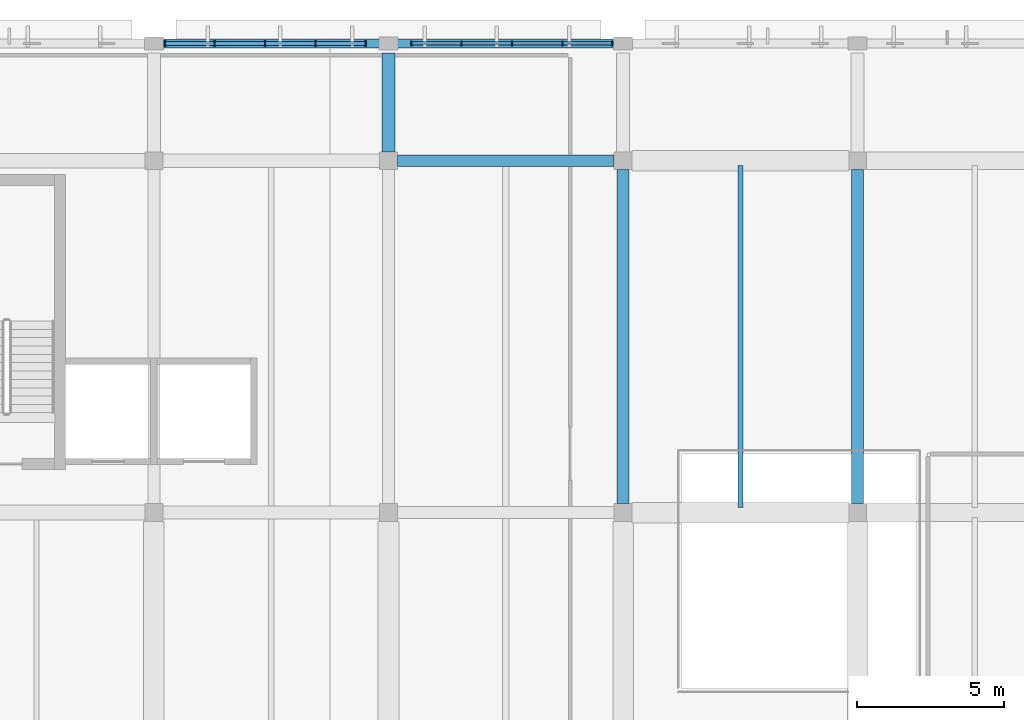
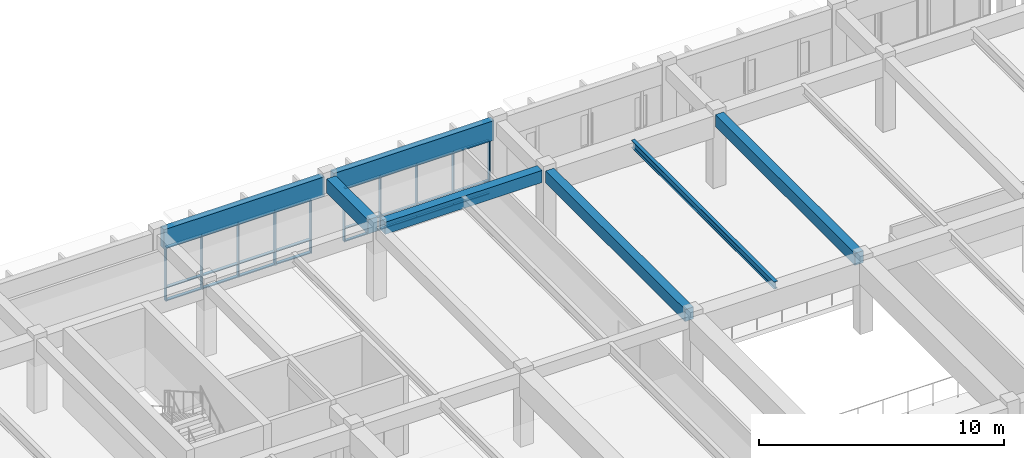
# One storey, part 18 of 98: 34 members, 7 beams, 2 elements without a shape of their own.
"""IFC4 building model written with IfcOpenShell, lengths in metres."""

from ifc_helpers import new_model, si_unit, direction, frame, origin, origin_2d, place, context, subcontext, project, spatial, rectangle, i_section, extrude, material, material_profile, profile_set, type_object, element, aggregate, save


model = new_model("IFC4")

# Units and contexts
model_context = context("Model", 3, precision=1e-05, world=origin(), true_north=direction((0.0, 1.0)))
body_context = subcontext(model_context, "Body", "Model", "MODEL_VIEW")
ifc_project = project(units=[si_unit("LENGTHUNIT", "METRE"), si_unit("AREAUNIT", "SQUARE_METRE"), si_unit("VOLUMEUNIT", "CUBIC_METRE"), si_unit("PLANEANGLEUNIT", "RADIAN"), si_unit("MASSUNIT", "GRAM", prefix="KILO")], contexts=[model_context])

# Site, building, storey
site_placement = place(None, origin())
site = spatial("IfcSite", under=ifc_project, at=site_placement, CompositionType="ELEMENT")
building_placement = place(site_placement, origin())
building = spatial("IfcBuilding", under=site, at=building_placement, Name="Larkveld Mobility Hub", CompositionType="ELEMENT")
storey_placement = place(building_placement, frame((0.0, 0.0, 4.5)))
storey = spatial("IfcBuildingStorey", under=building, at=storey_placement, Name="L01", CompositionType="ELEMENT", Elevation=4.5)

# Beams
ifc_material_1 = material(Name="Concrete C40/50", Category="concrete")
ifc_material_profile_1 = material_profile(ifc_material_1, rectangle(XDim=0.39990234375, YDim=0.60009765625, at=origin_2d()), Name="RC BM 400x600")
ifc_profile_set_1 = profile_set([ifc_material_profile_1], Name="Concrete C40/50")
beam_type_1 = type_object("IfcBeamType", Name="BM-RC4060", PredefinedType="BEAM", material=ifc_profile_set_1)
beam_1_placement = place(storey_placement, frame((40.300048828125, 122.0, 3.360107421875), z_axis=(1.0, 0.0, 0.0), x_axis=(0.0, 1.0, 0.0)))
element("IfcBeam", 1, at=beam_1_placement, inside=storey, type_object=beam_type_1, Name="Primary E-W Girder L01-0333", PredefinedType="BEAM", context=body_context, shape_type="SweptSolid", body=[
    extrude(rectangle(XDim=0.39990234375, YDim=0.60009765625, at=origin_2d()), origin(), (0.0, 0.0, 1.0), 7.39990234375),
])
for number, where, z_axis, x_axis, name in (
    (2, (48.0, 110.300048828125, 3.360107421875), (0.0, 1.0, 0.0), (-1.0, 0.0, 0.0), "Primary N-S Girder L01-0369"),
    (3, (56.0, 110.300048828125, 3.360107421875), (0.0, 1.0, 0.0), (-1.0, 0.0, 0.0), "Primary N-S Girder L01-0372"),
):
    element("IfcBeam", number, at=place(storey_placement, frame(where, z_axis=z_axis, x_axis=x_axis)), inside=storey, type_object=beam_type_1, Name=name, PredefinedType="BEAM", context=body_context, shape_type="SweptSolid", body=[
        extrude(rectangle(XDim=0.39990234375, YDim=0.60009765625, at=origin_2d()), origin(), (0.0, 0.0, 1.0), 11.39990234375),
    ])
ifc_material_profile_2 = material_profile(ifc_material_1, rectangle(XDim=0.449951171875, YDim=0.699951171875, at=origin_2d()), Name="RC BM 450x700")
ifc_profile_set_2 = profile_set([ifc_material_profile_2], Name="Concrete C40/50")
beam_type_2 = type_object("IfcBeamType", Name="BM-RC4570", PredefinedType="BEAM", material=ifc_profile_set_2)
beam_2_placement = place(storey_placement, frame((40.0, 122.300048828125, 3.31005859375), z_axis=(0.0, 1.0, 0.0), x_axis=(-1.0, 0.0, 0.0)))
element("IfcBeam", 4, at=beam_2_placement, inside=storey, type_object=beam_type_2, Name="Primary N-S Girder L01-0367", PredefinedType="BEAM", context=body_context, shape_type="SweptSolid", body=[
    extrude(rectangle(XDim=0.449951171875, YDim=0.699951171875, at=origin_2d()), origin(), (0.0, 0.0, 1.0), 3.375),
])
ifc_material_2 = material(Name="Precast concrete C50/60", Category="concrete")
ifc_material_profile_3 = material_profile(ifc_material_2, rectangle(XDim=0.300048828125, YDim=0.97998046875, at=origin_2d()), Name="PC SP 300x980")
ifc_profile_set_3 = profile_set([ifc_material_profile_3], Name="Precast concrete C50/60")
beam_type_3 = type_object("IfcBeamType", Name="BM-SP3098", PredefinedType="SPANDREL", material=ifc_profile_set_3)
for number, where, z_axis, x_axis, name in (
    (5, (32.22509765625, 126.0, 3.169921875), (1.0, 0.0, 0.0), (0.0, 1.0, 0.0), "Primary E-W Girder L01-0342"),
    (6, (40.22509765625, 126.0, 3.169921875), (1.0, 0.0, 0.0), (0.0, 1.0, 0.0), "Primary E-W Girder L01-0343"),
):
    element("IfcBeam", number, at=place(storey_placement, frame(where, z_axis=z_axis, x_axis=x_axis)), inside=storey, type_object=beam_type_3, Name=name, PredefinedType="SPANDREL", context=body_context, shape_type="SweptSolid", body=[
        extrude(rectangle(XDim=0.300048828125, YDim=0.97998046875, at=origin_2d()), origin(), (0.0, 0.0, 1.0), 7.5498046875),
    ])
ifc_material_3 = material(Name="Steel S355JR", Category="steel")
ifc_material_profile_4 = material_profile(ifc_material_3, i_section(OverallWidth=0.169921875, OverallDepth=0.360107421875, WebThickness=0.008056640625, FlangeThickness=0.0126953125, FilletRadius=0.01806640625, at=origin_2d()), Name="IPE 360")
ifc_profile_set_4 = profile_set([ifc_material_profile_4], Name="Steel S355JR")
beam_type_4 = type_object("IfcBeamType", Name="BM-STIPE360", PredefinedType="BEAM", material=ifc_profile_set_4)
beam_3_placement = place(storey_placement, frame((52.0, 110.169921875, 3.489990234375), z_axis=(0.0, 1.0, 0.0), x_axis=(-1.0, 0.0, 0.0)))
element("IfcBeam", 7, at=beam_3_placement, inside=storey, type_object=beam_type_4, Name="Bicycle Hall Secondary Beam L01-1189", PredefinedType="BEAM", context=body_context, shape_type="SweptSolid", body=[
    extrude(i_section(OverallWidth=0.169921875, OverallDepth=0.360107421875, WebThickness=0.008056640625, FlangeThickness=0.0126953125, FilletRadius=0.01806640625, at=origin_2d()), origin(), (0.0, 0.0, 1.0), 11.66015625),
])

# Curtain wall, members
ifc_material_4 = material(Name="Anodised aluminium 6063-T6", Category="aluminium")
curtain_wall_type_1 = type_object("IfcCurtainWallType", Name="CW-SYS-05", PredefinedType="NOTDEFINED", material=ifc_material_4)
curtain_wall_1_placement = place(storey_placement, origin())
curtain_wall_1 = element("IfcCurtainWall", 8, at=curtain_wall_1_placement, inside=storey, type_object=curtain_wall_type_1, Name="Bicycle Hall North Curtain Wall L01 CW-077", PredefinedType="NOTDEFINED")
ifc_material_profile_5 = material_profile(ifc_material_4, rectangle(XDim=0.050048828125, YDim=0.14990234375, at=origin_2d()), Name="ALU MULL 50x150")
ifc_profile_set_5 = profile_set([ifc_material_profile_5], Name="Anodised aluminium 6063-T6")
member_type_1 = type_object("IfcMemberType", Name="CW-MUL-01", PredefinedType="MULLION", material=ifc_profile_set_5)
member_1_placement = place(storey_placement, frame((47.625, 126.0, -0.001953125), z_axis=(0.0, 0.0, 1.0), x_axis=(-1.0, 0.0, 0.0)))
member_1 = element("IfcMember", 9, at=member_1_placement, type_object=member_type_1, Name="CW05 mullion 1", PredefinedType="MULLION", context=body_context, shape_type="SweptSolid", body=[
    extrude(rectangle(XDim=0.050048828125, YDim=0.14990234375, at=origin_2d()), origin(), (0.0, 0.0, 1.0), 2.681884765625),
])
member_2_placement = place(storey_placement, frame((45.928955078125, 126.0, -0.001953125), z_axis=(0.0, 0.0, 1.0), x_axis=(-1.0, 0.0, 0.0)))
member_2 = element("IfcMember", 10, at=member_2_placement, type_object=member_type_1, Name="CW05 mullion 2", PredefinedType="MULLION", context=body_context, shape_type="SweptSolid", body=[
    extrude(rectangle(XDim=0.050048828125, YDim=0.14990234375, at=origin_2d()), origin(), (0.0, 0.0, 1.0), 2.681884765625),
])
member_3_placement = place(storey_placement, frame((44.20703125, 126.0, -0.001953125), z_axis=(0.0, 0.0, 1.0), x_axis=(-1.0, 0.0, 0.0)))
member_3 = element("IfcMember", 11, at=member_3_placement, type_object=member_type_1, Name="CW05 mullion 3", PredefinedType="MULLION", context=body_context, shape_type="SweptSolid", body=[
    extrude(rectangle(XDim=0.050048828125, YDim=0.14990234375, at=origin_2d()), origin(), (0.0, 0.0, 1.0), 2.681884765625),
])
member_4_placement = place(storey_placement, frame((42.486083984375, 126.0, -0.001953125), z_axis=(0.0, 0.0, 1.0), x_axis=(-1.0, 0.0, 0.0)))
member_4 = element("IfcMember", 12, at=member_4_placement, type_object=member_type_1, Name="CW05 mullion 4", PredefinedType="MULLION", context=body_context, shape_type="SweptSolid", body=[
    extrude(rectangle(XDim=0.050048828125, YDim=0.14990234375, at=origin_2d()), origin(), (0.0, 0.0, 1.0), 2.681884765625),
])
member_5_placement = place(storey_placement, frame((40.7900390625, 126.0, -0.001953125), z_axis=(0.0, 0.0, 1.0), x_axis=(-1.0, 0.0, 0.0)))
member_5 = element("IfcMember", 13, at=member_5_placement, type_object=member_type_1, Name="CW05 mullion 5", PredefinedType="MULLION", context=body_context, shape_type="SweptSolid", body=[
    extrude(rectangle(XDim=0.050048828125, YDim=0.14990234375, at=origin_2d()), origin(), (0.0, 0.0, 1.0), 2.681884765625),
])

curtain_wall_type_2 = type_object("IfcCurtainWallType", Name="CW-SYS-06", PredefinedType="NOTDEFINED", material=ifc_material_4)
curtain_wall_2_placement = place(storey_placement, origin())
curtain_wall_2 = element("IfcCurtainWall", 14, at=curtain_wall_2_placement, inside=storey, type_object=curtain_wall_type_2, Name="Bicycle Hall North Curtain Wall L01 CW-078", PredefinedType="NOTDEFINED")
ifc_material_profile_6 = material_profile(ifc_material_4, rectangle(XDim=0.050048828125, YDim=0.179931640625, at=origin_2d()), Name="ALU MULL 50x180")
ifc_profile_set_6 = profile_set([ifc_material_profile_6], Name="Anodised aluminium 6063-T6")
member_type_2 = type_object("IfcMemberType", Name="CW-MUL-02", PredefinedType="MULLION", material=ifc_profile_set_6)
member_6_placement = place(storey_placement, frame((39.2099609375, 126.0, -0.001953125), z_axis=(0.0, 0.0, 1.0), x_axis=(-1.0, 0.0, 0.0)))
member_6 = element("IfcMember", 15, at=member_6_placement, type_object=member_type_2, Name="CW06 mullion 1", PredefinedType="MULLION", context=body_context, shape_type="SweptSolid", body=[
    extrude(rectangle(XDim=0.050048828125, YDim=0.179931640625, at=origin_2d()), origin(), (0.0, 0.0, 1.0), 2.681884765625),
])
member_7_placement = place(storey_placement, frame((37.513916015625, 126.0, -0.001953125), z_axis=(0.0, 0.0, 1.0), x_axis=(-1.0, 0.0, 0.0)))
member_7 = element("IfcMember", 16, at=member_7_placement, type_object=member_type_2, Name="CW06 mullion 2", PredefinedType="MULLION", context=body_context, shape_type="SweptSolid", body=[
    extrude(rectangle(XDim=0.050048828125, YDim=0.179931640625, at=origin_2d()), origin(), (0.0, 0.0, 1.0), 2.681884765625),
])
member_8_placement = place(storey_placement, frame((35.7919921875, 126.0, -0.001953125), z_axis=(0.0, 0.0, 1.0), x_axis=(-1.0, 0.0, 0.0)))
member_8 = element("IfcMember", 17, at=member_8_placement, type_object=member_type_2, Name="CW06 mullion 3", PredefinedType="MULLION", context=body_context, shape_type="SweptSolid", body=[
    extrude(rectangle(XDim=0.050048828125, YDim=0.179931640625, at=origin_2d()), origin(), (0.0, 0.0, 1.0), 2.681884765625),
])
member_9_placement = place(storey_placement, frame((34.071044921875, 126.0, -0.001953125), z_axis=(0.0, 0.0, 1.0), x_axis=(-1.0, 0.0, 0.0)))
member_9 = element("IfcMember", 18, at=member_9_placement, type_object=member_type_2, Name="CW06 mullion 4", PredefinedType="MULLION", context=body_context, shape_type="SweptSolid", body=[
    extrude(rectangle(XDim=0.050048828125, YDim=0.179931640625, at=origin_2d()), origin(), (0.0, 0.0, 1.0), 2.681884765625),
])
member_10_placement = place(storey_placement, frame((32.375, 126.0, -0.001953125), z_axis=(0.0, 0.0, 1.0), x_axis=(-1.0, 0.0, 0.0)))
member_10 = element("IfcMember", 19, at=member_10_placement, type_object=member_type_2, Name="CW06 mullion 5", PredefinedType="MULLION", context=body_context, shape_type="SweptSolid", body=[
    extrude(rectangle(XDim=0.050048828125, YDim=0.179931640625, at=origin_2d()), origin(), (0.0, 0.0, 1.0), 2.681884765625),
])

# Member
ifc_material_profile_7 = material_profile(ifc_material_4, rectangle(XDim=0.1201171875, YDim=0.050048828125, at=origin_2d()), Name="ALU TRAN 50x120")
ifc_profile_set_7 = profile_set([ifc_material_profile_7], Name="Anodised aluminium 6063-T6")
member_type_3 = type_object("IfcMemberType", Name="CW-TRN-01", PredefinedType="USERDEFINED", material=ifc_profile_set_7)
member_11_placement = place(storey_placement, frame((47.614990234375, 126.0, 0.030029296875), z_axis=(-1.0, 0.0, 0.0), x_axis=(0.0, -1.0, 0.0)))
member_11 = element("IfcMember", 20, at=member_11_placement, type_object=member_type_3, Name="CW05 transom 1.1", ObjectType="TRANSOM", PredefinedType="USERDEFINED", context=body_context, shape_type="SweptSolid", body=[
    extrude(rectangle(XDim=0.1201171875, YDim=0.050048828125, at=origin_2d()), origin(), (0.0, 0.0, 1.0), 1.6708984375),
])

member_12_placement = place(storey_placement, frame((47.614990234375, 126.0, 0.669921875), z_axis=(-1.0, 0.0, 0.0), x_axis=(0.0, -1.0, 0.0)))
member_12 = element("IfcMember", 21, at=member_12_placement, type_object=member_type_3, Name="CW05 transom 1.2", ObjectType="TRANSOM", PredefinedType="USERDEFINED", context=body_context, shape_type="SweptSolid", body=[
    extrude(rectangle(XDim=0.1201171875, YDim=0.050048828125, at=origin_2d()), origin(), (0.0, 0.0, 1.0), 1.6708984375),
])

member_13_placement = place(storey_placement, frame((47.614990234375, 126.0, 2.64794921875), z_axis=(-1.0, 0.0, 0.0), x_axis=(0.0, -1.0, 0.0)))
member_13 = element("IfcMember", 22, at=member_13_placement, type_object=member_type_3, Name="CW05 transom 1.3", ObjectType="TRANSOM", PredefinedType="USERDEFINED", context=body_context, shape_type="SweptSolid", body=[
    extrude(rectangle(XDim=0.1201171875, YDim=0.050048828125, at=origin_2d()), origin(), (0.0, 0.0, 1.0), 1.6708984375),
])

member_14_placement = place(storey_placement, frame((45.9140625, 126.0, 0.030029296875), z_axis=(-1.0, 0.0, 0.0), x_axis=(0.0, -1.0, 0.0)))
member_14 = element("IfcMember", 23, at=member_14_placement, type_object=member_type_3, Name="CW05 transom 2.1", ObjectType="TRANSOM", PredefinedType="USERDEFINED", context=body_context, shape_type="SweptSolid", body=[
    extrude(rectangle(XDim=0.1201171875, YDim=0.050048828125, at=origin_2d()), origin(), (0.0, 0.0, 1.0), 1.692138671875),
])

member_15_placement = place(storey_placement, frame((45.9140625, 126.0, 0.669921875), z_axis=(-1.0, 0.0, 0.0), x_axis=(0.0, -1.0, 0.0)))
member_15 = element("IfcMember", 24, at=member_15_placement, type_object=member_type_3, Name="CW05 transom 2.2", ObjectType="TRANSOM", PredefinedType="USERDEFINED", context=body_context, shape_type="SweptSolid", body=[
    extrude(rectangle(XDim=0.1201171875, YDim=0.050048828125, at=origin_2d()), origin(), (0.0, 0.0, 1.0), 1.692138671875),
])

member_16_placement = place(storey_placement, frame((45.9140625, 126.0, 2.64794921875), z_axis=(-1.0, 0.0, 0.0), x_axis=(0.0, -1.0, 0.0)))
member_16 = element("IfcMember", 25, at=member_16_placement, type_object=member_type_3, Name="CW05 transom 2.3", ObjectType="TRANSOM", PredefinedType="USERDEFINED", context=body_context, shape_type="SweptSolid", body=[
    extrude(rectangle(XDim=0.1201171875, YDim=0.050048828125, at=origin_2d()), origin(), (0.0, 0.0, 1.0), 1.692138671875),
])

member_17_placement = place(storey_placement, frame((44.19189453125, 126.0, 0.030029296875), z_axis=(-1.0, 0.0, 0.0), x_axis=(0.0, -1.0, 0.0)))
member_17 = element("IfcMember", 26, at=member_17_placement, type_object=member_type_3, Name="CW05 transom 3.1", ObjectType="TRANSOM", PredefinedType="USERDEFINED", context=body_context, shape_type="SweptSolid", body=[
    extrude(rectangle(XDim=0.1201171875, YDim=0.050048828125, at=origin_2d()), origin(), (0.0, 0.0, 1.0), 1.69091796875),
])

member_18_placement = place(storey_placement, frame((44.19189453125, 126.0, 0.669921875), z_axis=(-1.0, 0.0, 0.0), x_axis=(0.0, -1.0, 0.0)))
member_18 = element("IfcMember", 27, at=member_18_placement, type_object=member_type_3, Name="CW05 transom 3.2", ObjectType="TRANSOM", PredefinedType="USERDEFINED", context=body_context, shape_type="SweptSolid", body=[
    extrude(rectangle(XDim=0.1201171875, YDim=0.050048828125, at=origin_2d()), origin(), (0.0, 0.0, 1.0), 1.69091796875),
])

member_19_placement = place(storey_placement, frame((44.19189453125, 126.0, 2.64794921875), z_axis=(-1.0, 0.0, 0.0), x_axis=(0.0, -1.0, 0.0)))
member_19 = element("IfcMember", 28, at=member_19_placement, type_object=member_type_3, Name="CW05 transom 3.3", ObjectType="TRANSOM", PredefinedType="USERDEFINED", context=body_context, shape_type="SweptSolid", body=[
    extrude(rectangle(XDim=0.1201171875, YDim=0.050048828125, at=origin_2d()), origin(), (0.0, 0.0, 1.0), 1.69091796875),
])

member_20_placement = place(storey_placement, frame((42.470947265625, 126.0, 0.030029296875), z_axis=(-1.0, 0.0, 0.0), x_axis=(0.0, -1.0, 0.0)))
member_20 = element("IfcMember", 29, at=member_20_placement, type_object=member_type_3, Name="CW05 transom 4.1", ObjectType="TRANSOM", PredefinedType="USERDEFINED", context=body_context, shape_type="SweptSolid", body=[
    extrude(rectangle(XDim=0.1201171875, YDim=0.050048828125, at=origin_2d()), origin(), (0.0, 0.0, 1.0), 1.6708984375),
])

member_21_placement = place(storey_placement, frame((42.470947265625, 126.0, 0.669921875), z_axis=(-1.0, 0.0, 0.0), x_axis=(0.0, -1.0, 0.0)))
member_21 = element("IfcMember", 30, at=member_21_placement, type_object=member_type_3, Name="CW05 transom 4.2", ObjectType="TRANSOM", PredefinedType="USERDEFINED", context=body_context, shape_type="SweptSolid", body=[
    extrude(rectangle(XDim=0.1201171875, YDim=0.050048828125, at=origin_2d()), origin(), (0.0, 0.0, 1.0), 1.6708984375),
])

member_22_placement = place(storey_placement, frame((42.470947265625, 126.0, 2.64794921875), z_axis=(-1.0, 0.0, 0.0), x_axis=(0.0, -1.0, 0.0)))
member_22 = element("IfcMember", 31, at=member_22_placement, type_object=member_type_3, Name="CW05 transom 4.3", ObjectType="TRANSOM", PredefinedType="USERDEFINED", context=body_context, shape_type="SweptSolid", body=[
    extrude(rectangle(XDim=0.1201171875, YDim=0.050048828125, at=origin_2d()), origin(), (0.0, 0.0, 1.0), 1.6708984375),
])

aggregate(curtain_wall_1, [member_1, member_2, member_3, member_4, member_5, member_11, member_12, member_13, member_14, member_15, member_16, member_17, member_18, member_19, member_20, member_21, member_22])

ifc_material_profile_8 = material_profile(ifc_material_4, rectangle(XDim=0.14990234375, YDim=0.050048828125, at=origin_2d()), Name="ALU TRAN 50x150")
ifc_profile_set_8 = profile_set([ifc_material_profile_8], Name="Anodised aluminium 6063-T6")
member_type_4 = type_object("IfcMemberType", Name="CW-TRN-02", PredefinedType="USERDEFINED", material=ifc_profile_set_8)
member_23_placement = place(storey_placement, frame((39.199951171875, 126.0, 0.030029296875), z_axis=(-1.0, 0.0, 0.0), x_axis=(0.0, -1.0, 0.0)))
member_23 = element("IfcMember", 32, at=member_23_placement, type_object=member_type_4, Name="CW06 transom 1.1", ObjectType="TRANSOM", PredefinedType="USERDEFINED", context=body_context, shape_type="SweptSolid", body=[
    extrude(rectangle(XDim=0.14990234375, YDim=0.050048828125, at=origin_2d()), origin(), (0.0, 0.0, 1.0), 1.6708984375),
])

member_24_placement = place(storey_placement, frame((39.199951171875, 126.0, 0.669921875), z_axis=(-1.0, 0.0, 0.0), x_axis=(0.0, -1.0, 0.0)))
member_24 = element("IfcMember", 33, at=member_24_placement, type_object=member_type_4, Name="CW06 transom 1.2", ObjectType="TRANSOM", PredefinedType="USERDEFINED", context=body_context, shape_type="SweptSolid", body=[
    extrude(rectangle(XDim=0.14990234375, YDim=0.050048828125, at=origin_2d()), origin(), (0.0, 0.0, 1.0), 1.6708984375),
])

member_25_placement = place(storey_placement, frame((39.199951171875, 126.0, 2.64794921875), z_axis=(-1.0, 0.0, 0.0), x_axis=(0.0, -1.0, 0.0)))
member_25 = element("IfcMember", 34, at=member_25_placement, type_object=member_type_4, Name="CW06 transom 1.3", ObjectType="TRANSOM", PredefinedType="USERDEFINED", context=body_context, shape_type="SweptSolid", body=[
    extrude(rectangle(XDim=0.14990234375, YDim=0.050048828125, at=origin_2d()), origin(), (0.0, 0.0, 1.0), 1.6708984375),
])

member_26_placement = place(storey_placement, frame((37.4990234375, 126.0, 0.030029296875), z_axis=(-1.0, 0.0, 0.0), x_axis=(0.0, -1.0, 0.0)))
member_26 = element("IfcMember", 35, at=member_26_placement, type_object=member_type_4, Name="CW06 transom 2.1", ObjectType="TRANSOM", PredefinedType="USERDEFINED", context=body_context, shape_type="SweptSolid", body=[
    extrude(rectangle(XDim=0.14990234375, YDim=0.050048828125, at=origin_2d()), origin(), (0.0, 0.0, 1.0), 1.692138671875),
])

member_27_placement = place(storey_placement, frame((37.4990234375, 126.0, 0.669921875), z_axis=(-1.0, 0.0, 0.0), x_axis=(0.0, -1.0, 0.0)))
member_27 = element("IfcMember", 36, at=member_27_placement, type_object=member_type_4, Name="CW06 transom 2.2", ObjectType="TRANSOM", PredefinedType="USERDEFINED", context=body_context, shape_type="SweptSolid", body=[
    extrude(rectangle(XDim=0.14990234375, YDim=0.050048828125, at=origin_2d()), origin(), (0.0, 0.0, 1.0), 1.692138671875),
])

member_28_placement = place(storey_placement, frame((37.4990234375, 126.0, 2.64794921875), z_axis=(-1.0, 0.0, 0.0), x_axis=(0.0, -1.0, 0.0)))
member_28 = element("IfcMember", 37, at=member_28_placement, type_object=member_type_4, Name="CW06 transom 2.3", ObjectType="TRANSOM", PredefinedType="USERDEFINED", context=body_context, shape_type="SweptSolid", body=[
    extrude(rectangle(XDim=0.14990234375, YDim=0.050048828125, at=origin_2d()), origin(), (0.0, 0.0, 1.0), 1.692138671875),
])

member_29_placement = place(storey_placement, frame((35.777099609375, 126.0, 0.030029296875), z_axis=(-1.0, 0.0, 0.0), x_axis=(0.0, -1.0, 0.0)))
member_29 = element("IfcMember", 38, at=member_29_placement, type_object=member_type_4, Name="CW06 transom 3.1", ObjectType="TRANSOM", PredefinedType="USERDEFINED", context=body_context, shape_type="SweptSolid", body=[
    extrude(rectangle(XDim=0.14990234375, YDim=0.050048828125, at=origin_2d()), origin(), (0.0, 0.0, 1.0), 1.691162109375),
])

member_30_placement = place(storey_placement, frame((35.777099609375, 126.0, 0.669921875), z_axis=(-1.0, 0.0, 0.0), x_axis=(0.0, -1.0, 0.0)))
member_30 = element("IfcMember", 39, at=member_30_placement, type_object=member_type_4, Name="CW06 transom 3.2", ObjectType="TRANSOM", PredefinedType="USERDEFINED", context=body_context, shape_type="SweptSolid", body=[
    extrude(rectangle(XDim=0.14990234375, YDim=0.050048828125, at=origin_2d()), origin(), (0.0, 0.0, 1.0), 1.691162109375),
])

member_31_placement = place(storey_placement, frame((35.777099609375, 126.0, 2.64794921875), z_axis=(-1.0, 0.0, 0.0), x_axis=(0.0, -1.0, 0.0)))
member_31 = element("IfcMember", 40, at=member_31_placement, type_object=member_type_4, Name="CW06 transom 3.3", ObjectType="TRANSOM", PredefinedType="USERDEFINED", context=body_context, shape_type="SweptSolid", body=[
    extrude(rectangle(XDim=0.14990234375, YDim=0.050048828125, at=origin_2d()), origin(), (0.0, 0.0, 1.0), 1.691162109375),
])

member_32_placement = place(storey_placement, frame((34.055908203125, 126.0, 0.030029296875), z_axis=(-1.0, 0.0, 0.0), x_axis=(0.0, -1.0, 0.0)))
member_32 = element("IfcMember", 41, at=member_32_placement, type_object=member_type_4, Name="CW06 transom 4.1", ObjectType="TRANSOM", PredefinedType="USERDEFINED", context=body_context, shape_type="SweptSolid", body=[
    extrude(rectangle(XDim=0.14990234375, YDim=0.050048828125, at=origin_2d()), origin(), (0.0, 0.0, 1.0), 1.6708984375),
])

member_33_placement = place(storey_placement, frame((34.055908203125, 126.0, 0.669921875), z_axis=(-1.0, 0.0, 0.0), x_axis=(0.0, -1.0, 0.0)))
member_33 = element("IfcMember", 42, at=member_33_placement, type_object=member_type_4, Name="CW06 transom 4.2", ObjectType="TRANSOM", PredefinedType="USERDEFINED", context=body_context, shape_type="SweptSolid", body=[
    extrude(rectangle(XDim=0.14990234375, YDim=0.050048828125, at=origin_2d()), origin(), (0.0, 0.0, 1.0), 1.6708984375),
])

member_34_placement = place(storey_placement, frame((34.055908203125, 126.0, 2.64794921875), z_axis=(-1.0, 0.0, 0.0), x_axis=(0.0, -1.0, 0.0)))
member_34 = element("IfcMember", 43, at=member_34_placement, type_object=member_type_4, Name="CW06 transom 4.3", ObjectType="TRANSOM", PredefinedType="USERDEFINED", context=body_context, shape_type="SweptSolid", body=[
    extrude(rectangle(XDim=0.14990234375, YDim=0.050048828125, at=origin_2d()), origin(), (0.0, 0.0, 1.0), 1.6708984375),
])

aggregate(curtain_wall_2, [member_6, member_7, member_8, member_9, member_10, member_23, member_24, member_25, member_26, member_27, member_28, member_29, member_30, member_31, member_32, member_33, member_34])

save(model, "model.ifc")
